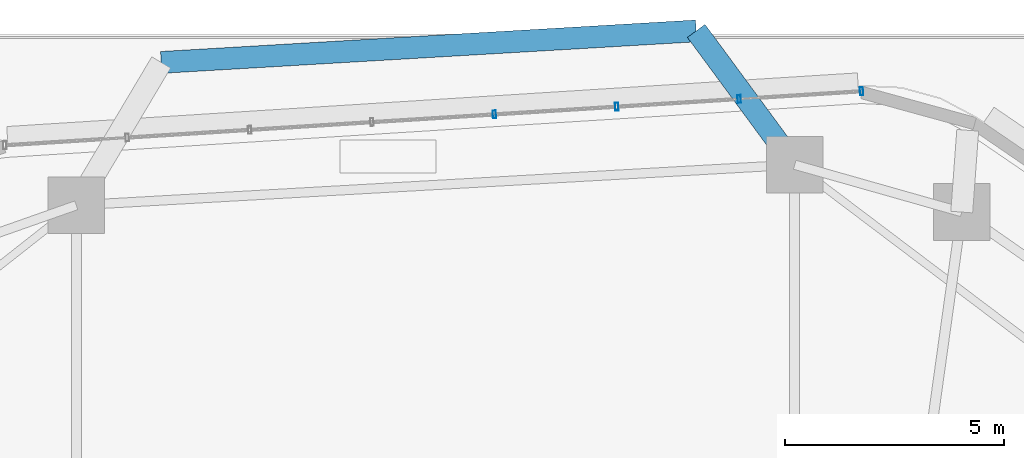
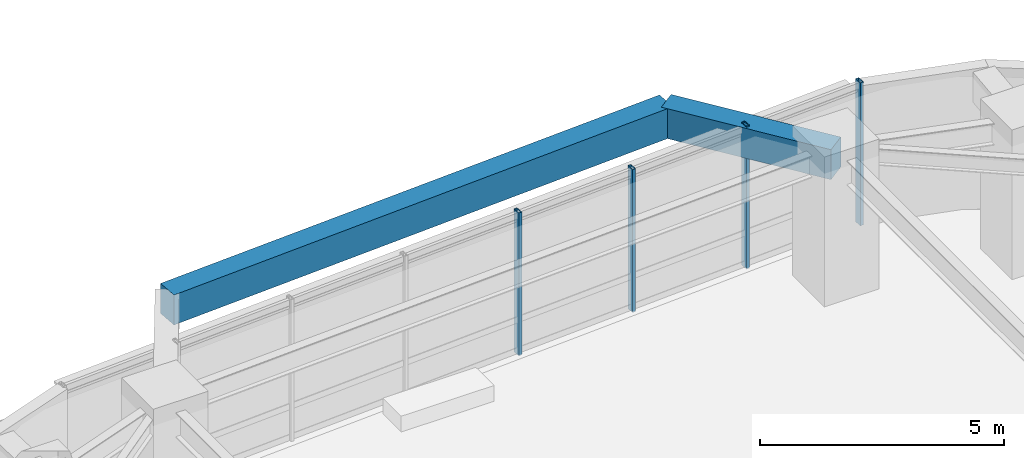
# One storey, part 12 of 20: 4 members, 2 beams, 1 element without a shape of its own.
"""IFC4 building model written with IfcOpenShell, lengths in metres."""

from ifc_helpers import new_model, si_unit, direction, frame, origin, origin_2d, place, context, subcontext, project, spatial, rectangle, hollow_rectangle, extrude, material, material_profile, profile_set, type_object, element, aggregate, save


model = new_model("IFC4")

# Units and contexts
model_context = context("Model", 3, precision=1e-05, world=origin(), true_north=direction((0.0, 1.0)))
body_context = subcontext(model_context, "Body", "Model", "MODEL_VIEW")
ifc_project = project(units=[si_unit("LENGTHUNIT", "METRE"), si_unit("AREAUNIT", "SQUARE_METRE"), si_unit("VOLUMEUNIT", "CUBIC_METRE"), si_unit("PLANEANGLEUNIT", "RADIAN"), si_unit("MASSUNIT", "GRAM", prefix="KILO")], contexts=[model_context])

# Site, building, storey
site_placement = place(None, origin())
site = spatial("IfcSite", under=ifc_project, at=site_placement, CompositionType="ELEMENT")
building_placement = place(site_placement, origin())
building = spatial("IfcBuilding", under=site, at=building_placement, Name="Zulverin Broadcast Headquarters", CompositionType="ELEMENT")
storey_placement = place(building_placement, frame((0.0, 0.0, 25.0)))
storey = spatial("IfcBuildingStorey", under=building, at=storey_placement, Name="L05", CompositionType="ELEMENT", Elevation=25.0)

# Beams
ifc_material_1 = material(Name="Concrete C40/50", Category="concrete")
ifc_material_profile_1 = material_profile(ifc_material_1, rectangle(XDim=0.5, YDim=0.75, at=origin_2d()), Name="Concrete C40/50", Category="concrete")
ifc_profile_set_1 = profile_set([ifc_material_profile_1], Name="Concrete C40/50")
beam_type = type_object("IfcBeamType", Name="BM-RC-500x750", PredefinedType="BEAM", material=ifc_profile_set_1)
beam_1_placement = place(storey_placement, frame((46.30224609375, 47.4091796875, 3.14990234375), z_axis=(-0.592925064887, 0.805257640404, 0.0), x_axis=(-0.805257640404, -0.592925064887, 0.0)))
element("IfcBeam", 1, at=beam_1_placement, inside=storey, type_object=beam_type, Name="L06 Balcony Column-Framed Cantilever BAL_N-1", PredefinedType="BEAM", context=body_context, shape_type="SweptSolid", body=[
    extrude(rectangle(XDim=0.5, YDim=0.75, at=origin_2d()), origin(), (0.0, 0.0, 1.0), 3.800048828125),
])
beam_2_placement = place(storey_placement, frame((44.049072265625, 50.46923828125, 3.14990234375), z_axis=(-0.998269148199, -0.058810779227, 0.0), x_axis=(0.058810779227, -0.998269148199, 0.0)))
element("IfcBeam", 2, at=beam_2_placement, inside=storey, type_object=beam_type, Name="L06 Balcony Outer Edge Trimmer Beam BAL_N", PredefinedType="BEAM", context=body_context, shape_type="SweptSolid", body=[
    extrude(rectangle(XDim=0.5, YDim=0.75, at=origin_2d()), origin(), (0.0, 0.0, 1.0), 12.254638671875),
])

# Curtain wall, members
ifc_material_2 = material(Name="Low-zone ribbon unitised curtain wall", Category="aluminium")
curtain_wall_type = type_object("IfcCurtainWallType", Name="CW-TWR-LOW", PredefinedType="USERDEFINED", material=ifc_material_2)
curtain_wall_placement = place(storey_placement, origin())
curtain_wall = element("IfcCurtainWall", 3, at=curtain_wall_placement, inside=storey, type_object=curtain_wall_type, Name="L05 Unitised Curtain Wall CW-L05-E5", ObjectType="UNITISED CURTAIN WALL", PredefinedType="USERDEFINED")
ifc_material_3 = material(Name="Anodized pale-metal aluminium alloy 6063-T6", Category="aluminium")
ifc_material_profile_2 = material_profile(ifc_material_3, hollow_rectangle(XDim=0.074951171875, YDim=0.179931640625, WallThickness=0.0048828125, at=origin_2d()), Name="Anodized pale-metal aluminium alloy 6063-T6", Category="aluminium")
ifc_profile_set_2 = profile_set([ifc_material_profile_2], Name="Anodized pale-metal aluminium alloy 6063-T6")
member_type = type_object("IfcMemberType", Name="CW-MUL-180", PredefinedType="MULLION", material=ifc_profile_set_2)
member_1_placement = place(storey_placement, frame((47.83056640625, 49.08935546875, -0.030029296875), z_axis=(0.0, 0.0, 1.0), x_axis=(-0.998017621976, -0.062935095345, 0.0)))
member_1 = element("IfcMember", 4, at=member_1_placement, type_object=member_type, Name="CW-L05-E5 Mullion 00", PredefinedType="MULLION", context=body_context, shape_type="SweptSolid", body=[
    extrude(hollow_rectangle(XDim=0.074951171875, YDim=0.179931640625, WallThickness=0.0048828125, at=origin_2d()), origin(), (0.0, 0.0, 1.0), 3.5849609375),
])
member_2_placement = place(storey_placement, frame((45.031982421875, 48.912841796875, -0.030029296875), z_axis=(0.0, 0.0, 1.0), x_axis=(-0.998017621976, -0.062935095345, 0.0)))
member_2 = element("IfcMember", 5, at=member_2_placement, type_object=member_type, Name="CW-L05-E5 Mullion 01", PredefinedType="MULLION", context=body_context, shape_type="SweptSolid", body=[
    extrude(hollow_rectangle(XDim=0.074951171875, YDim=0.179931640625, WallThickness=0.0048828125, at=origin_2d()), origin(), (0.0, 0.0, 1.0), 3.5849609375),
])
member_3_placement = place(storey_placement, frame((42.233154296875, 48.736328125, -0.030029296875), z_axis=(0.0, 0.0, 1.0), x_axis=(-0.998017621976, -0.062935095345, 0.0)))
member_3 = element("IfcMember", 6, at=member_3_placement, type_object=member_type, Name="CW-L05-E5 Mullion 02", PredefinedType="MULLION", context=body_context, shape_type="SweptSolid", body=[
    extrude(hollow_rectangle(XDim=0.074951171875, YDim=0.179931640625, WallThickness=0.0048828125, at=origin_2d()), origin(), (0.0, 0.0, 1.0), 3.5849609375),
])
member_4_placement = place(storey_placement, frame((39.4345703125, 48.559814453125, -0.030029296875), z_axis=(0.0, 0.0, 1.0), x_axis=(-0.998017621976, -0.062935095345, 0.0)))
member_4 = element("IfcMember", 7, at=member_4_placement, type_object=member_type, Name="CW-L05-E5 Mullion 03", PredefinedType="MULLION", context=body_context, shape_type="SweptSolid", body=[
    extrude(hollow_rectangle(XDim=0.074951171875, YDim=0.179931640625, WallThickness=0.0048828125, at=origin_2d()), origin(), (0.0, 0.0, 1.0), 3.5849609375),
])
aggregate(curtain_wall, [member_1, member_2, member_3, member_4])

save(model, "model.ifc")
